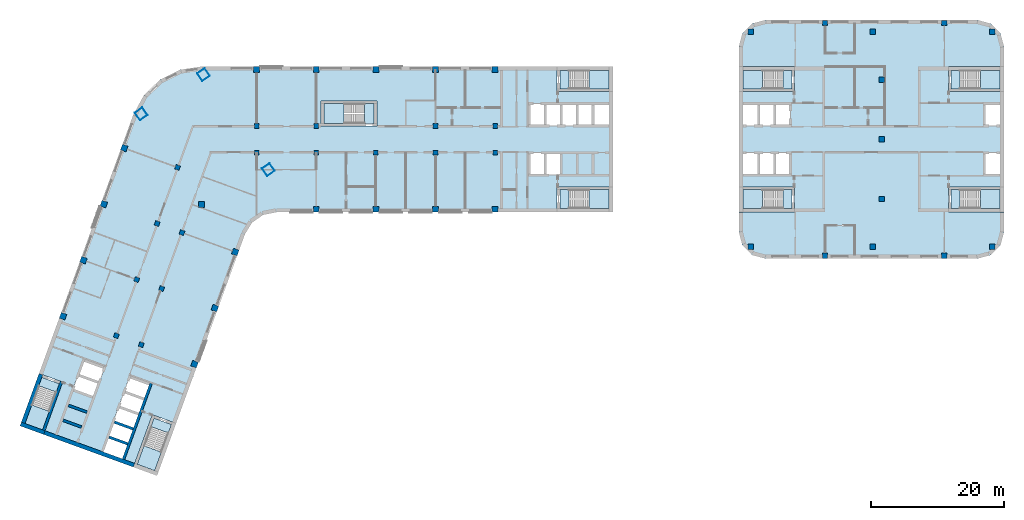
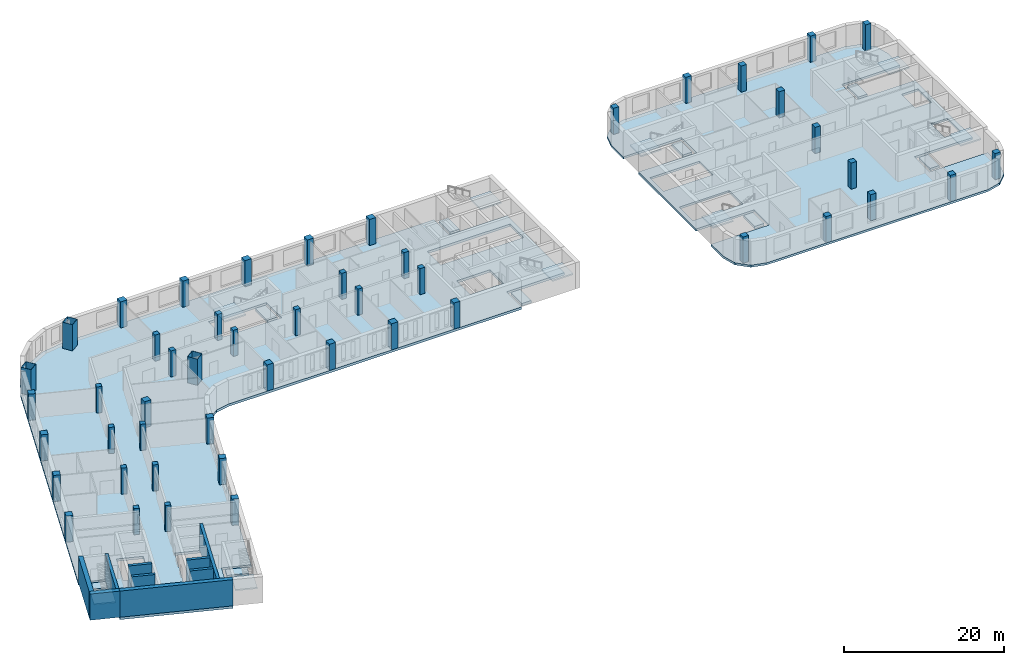
# One storey, part 1 of 12: 49 columns, 20 slabs, 9 walls, 9 elements without a shape of their own.
"""IFC4 building model written with IfcOpenShell, lengths in metres."""

import ifcopenshell
import ifcopenshell.guid

model = None  # the IFC model being written
_history = None  # IfcOwnerHistory: only IFC2X3 demands one
_inside = {}  # id of a spatial element -> (the spatial element, [elements in it])
_under = {}  # id of a project, library or spatial element -> (it, [spatial elements below it])
_declared = {}  # id of a project -> (the project, [libraries it declares])
_typed = {}  # id of a type object -> (the type object, [elements of that type])
_made_of = {}  # id of a material, layer set ... -> (it, [elements and type objects made of it])


def new_model(schema):
    """Start an empty IFC model of exactly this schema.

    Asked for "IFC4X3", IfcOpenShell would pick the latest addendum, in which some entities
    have other attributes; the version numbers below select the first issue.
    IFC2X3 requires an IfcOwnerHistory on every rooted entity: one is made here for all.
    """
    global model, _history
    if schema == "IFC4X3":
        model = ifcopenshell.file(schema_version=(4, 3, 0, 0))
    else:
        model = ifcopenshell.file(schema=schema)
    _inside.clear()
    _under.clear()
    _declared.clear()
    _typed.clear()
    _made_of.clear()
    _history = None
    if model.schema == "IFC2X3":
        org = make("IfcOrganization", Name="unknown")
        user = make(
            "IfcPersonAndOrganization",
            ThePerson=make("IfcPerson", FamilyName="unknown"),
            TheOrganization=org,
        )
        app = make(
            "IfcApplication",
            ApplicationDeveloper=org,
            Version="unknown",
            ApplicationFullName="unknown",
            ApplicationIdentifier="unknown",
        )
        _history = make(
            "IfcOwnerHistory",
            OwningUser=user,
            OwningApplication=app,
            ChangeAction="ADDED",
            CreationDate=0,
        )
    return model


def make(cls, **values):
    """One entity of the class cls with the attributes given. An attribute that is None is left unset."""
    return model.create_entity(
        cls, **{name: value for name, value in values.items() if value is not None}
    )


def rooted(cls, **values):
    """An entity with a GlobalId (a new one), such as an element, a storey or a relation."""
    return make(cls, GlobalId=ifcopenshell.guid.new(), OwnerHistory=_history, **values)


def si_unit(unit_type, name, prefix=None):
    """IfcSIUnit, for example si_unit("LENGTHUNIT", "METRE", prefix="MILLI")."""
    return make("IfcSIUnit", UnitType=unit_type, Prefix=prefix, Name=name)


def assignment(units):
    """IfcUnitAssignment: the units of a project."""
    return None if units is None else make("IfcUnitAssignment", Units=units)


def point(xyz):
    """IfcCartesianPoint."""
    return None if xyz is None else make("IfcCartesianPoint", Coordinates=xyz)


def direction(xyz):
    """IfcDirection."""
    return None if xyz is None else make("IfcDirection", DirectionRatios=xyz)


def frame(location, z_axis=None, x_axis=None):
    """IfcAxis2Placement3D, a coordinate frame: its origin and axes. An axis left out is left unset."""
    return make(
        "IfcAxis2Placement3D",
        Location=point(location),
        Axis=direction(z_axis),
        RefDirection=direction(x_axis),
    )


def frame_2d(location, x_axis=None):
    """IfcAxis2Placement2D, a coordinate frame in the plane: its origin and x axis."""
    return make(
        "IfcAxis2Placement2D", Location=point(location), RefDirection=direction(x_axis)
    )


def origin():
    """The frame at (0, 0, 0) with its axes left unset."""
    return frame((0.0, 0.0, 0.0))


def origin_2d():
    """The frame at (0, 0) in the plane with its x axis left unset."""
    return frame_2d((0.0, 0.0))


def place(relative_to, where):
    """IfcLocalPlacement: puts the frame where relative to a parent placement (None: the world)."""
    return make(
        "IfcLocalPlacement", PlacementRelTo=relative_to, RelativePlacement=where
    )


def context(
    kind, dimensions, precision=None, world=None, true_north=None, identifier=None
):
    """IfcGeometricRepresentationContext, for example the 3D "Model" context."""
    return make(
        "IfcGeometricRepresentationContext",
        ContextIdentifier=identifier,
        ContextType=kind,
        CoordinateSpaceDimension=dimensions,
        Precision=precision,
        WorldCoordinateSystem=world,
        TrueNorth=true_north,
    )


def subcontext(parent, identifier, kind, view, scale=None):
    """IfcGeometricRepresentationSubContext, for example "Body" below "Model"."""
    return make(
        "IfcGeometricRepresentationSubContext",
        ContextIdentifier=identifier,
        ContextType=kind,
        ParentContext=parent,
        TargetScale=scale,
        TargetView=view,
    )


def project(units=None, contexts=None):
    """IfcProject with its units and contexts."""
    return rooted(
        "IfcProject",
        Name="project",
        RepresentationContexts=contexts,
        UnitsInContext=assignment(units),
    )


def spatial(cls, under=None, at=None, **own):
    """A site, building, storey or space (cls), placed at a placement, below another one or the project."""
    s = rooted(cls, ObjectPlacement=at, **own)
    if under is not None:
        _under.setdefault(under.id(), (under, []))[1].append(s)
    return s


def polyline(points):
    """IfcPolyline through the points."""
    return make("IfcPolyline", Points=[point(p) for p in points])


def profile(cls, at=None, kind="AREA", **sizes):
    """A parametric profile (cls). Its sizes go by their IFC names, for example OverallWidth=200.0."""
    return make(cls, ProfileType=kind, Position=at, **sizes)


def rectangle(**sizes):
    """IfcRectangleProfileDef."""
    return profile("IfcRectangleProfileDef", **sizes)


def hollow_rectangle(**sizes):
    """IfcRectangleHollowProfileDef."""
    return profile("IfcRectangleHollowProfileDef", **sizes)


def outline(outer, holes=None, kind="AREA"):
    """IfcArbitraryClosedProfileDef: a profile drawn as a closed curve; with holes, ...WithVoids."""
    if holes is None:
        return make("IfcArbitraryClosedProfileDef", ProfileType=kind, OuterCurve=outer)
    return make(
        "IfcArbitraryProfileDefWithVoids",
        ProfileType=kind,
        OuterCurve=outer,
        InnerCurves=holes,
    )


def extrude(swept, where, along, depth):
    """IfcExtrudedAreaSolid: the profile swept, set in the frame where, extruded along a direction by depth."""
    return make(
        "IfcExtrudedAreaSolid",
        SweptArea=swept,
        Position=where,
        ExtrudedDirection=direction(along),
        Depth=depth,
    )


def shape(context_of_items, identifier, shape_type, items):
    """IfcShapeRepresentation: the items that make up one representation, for example the "Body"."""
    return make(
        "IfcShapeRepresentation",
        ContextOfItems=context_of_items,
        RepresentationIdentifier=identifier,
        RepresentationType=shape_type,
        Items=items,
    )


def material(Name=None, Category=None):
    """IfcMaterial."""
    return make("IfcMaterial", Name=Name, Category=Category)


def layer(
    of_material, thickness, ventilated=None, Name=None, Category=None, Priority=None
):
    """IfcMaterialLayer: one layer of a wall or slab, of a material (None: an air gap)."""
    return make(
        "IfcMaterialLayer",
        Material=of_material,
        LayerThickness=thickness,
        IsVentilated=ventilated,
        Name=Name,
        Category=Category,
        Priority=Priority,
    )


def layer_set(layers, Name=None):
    """IfcMaterialLayerSet."""
    return make("IfcMaterialLayerSet", MaterialLayers=layers, LayerSetName=Name)


def material_profile(
    of_material, cross_section, Name=None, Category=None, Priority=None
):
    """IfcMaterialProfile: a cross section and its material."""
    return make(
        "IfcMaterialProfile",
        Name=Name,
        Material=of_material,
        Profile=cross_section,
        Priority=Priority,
        Category=Category,
    )


def profile_set(profiles, Name=None, composite=None):
    """IfcMaterialProfileSet."""
    return make(
        "IfcMaterialProfileSet",
        Name=Name,
        MaterialProfiles=profiles,
        CompositeProfile=composite,
    )


def made_of(thing, what):
    """Note that an element or type object is made of a material, layer set ...; save() writes the relation."""
    if what is not None:
        _made_of.setdefault(what.id(), (what, []))[1].append(thing)
    return thing


def type_object(cls, material=None, **own):
    """A type object (cls), such as IfcWallType, which elements share."""
    return made_of(rooted(cls, **own), material)


def element(
    cls,
    number,
    at=None,
    inside=None,
    cuts=None,
    type_object=None,
    material=None,
    context=None,
    identifier="Body",
    shape_type=None,
    held_by="IfcProductDefinitionShape",
    body=None,
    shapes=None,
    **own,
):
    """One element of the class cls, such as IfcWall. Its Tag is "e" and its number.

    at: its placement. inside: the storey or other place that contains it. cuts: it is an
    opening in that element (IfcRelVoidsElement). A single representation is given by context,
    identifier, shape_type and body (its items); several are given by shapes. held_by: the class
    of the entity that holds the representations. save() writes the other relations.
    """
    e = rooted(cls, Tag="e%d" % number, ObjectPlacement=at, **own)
    if body is not None:
        shapes = [shape(context, identifier, shape_type, body)]
    if shapes is not None:
        e.Representation = make(held_by, Representations=shapes)
    if inside is not None:
        _inside.setdefault(inside.id(), (inside, []))[1].append(e)
    if cuts is not None:
        rooted(
            "IfcRelVoidsElement", RelatingBuildingElement=cuts, RelatedOpeningElement=e
        )
    if type_object is not None:
        _typed.setdefault(type_object.id(), (type_object, []))[1].append(e)
    return made_of(e, material)


def aggregate(whole, parts):
    """IfcRelAggregates: a whole, such as a stair, and the parts it consists of."""
    return rooted("IfcRelAggregates", RelatingObject=whole, RelatedObjects=parts)


def save(model, path):
    """Write the relations noted so far, then the file.

    IfcRelAggregates (storeys below a building ...), IfcRelContainedInSpatialStructure (elements
    in a storey), IfcRelDefinesByType, IfcRelAssociatesMaterial and IfcRelDeclares: one each for
    every whole, place, type object, material and project.
    """
    for whole, parts in _under.values():
        aggregate(whole, parts)
    for where, things in _inside.values():
        rooted(
            "IfcRelContainedInSpatialStructure",
            RelatedElements=things,
            RelatingStructure=where,
        )
    for kind, things in _typed.values():
        rooted("IfcRelDefinesByType", RelatedObjects=things, RelatingType=kind)
    for what, things in _made_of.values():
        rooted("IfcRelAssociatesMaterial", RelatedObjects=things, RelatingMaterial=what)
    for by, libraries in _declared.values():
        rooted("IfcRelDeclares", RelatingContext=by, RelatedDefinitions=libraries)
    model.write(path)


model = new_model("IFC4")

# Units and contexts
model_context = context("Model", 3, precision=1e-05, world=origin(), true_north=direction((0.0, 1.0)))
body_context = subcontext(model_context, "Body", "Model", "MODEL_VIEW")
ifc_project = project(units=[si_unit("LENGTHUNIT", "METRE"), si_unit("AREAUNIT", "SQUARE_METRE"), si_unit("VOLUMEUNIT", "CUBIC_METRE"), si_unit("PLANEANGLEUNIT", "RADIAN"), si_unit("MASSUNIT", "GRAM", prefix="KILO")], contexts=[model_context])

# Site, building, storey
site_placement = place(None, origin())
site = spatial("IfcSite", under=ifc_project, at=site_placement, CompositionType="ELEMENT")
building_placement = place(site_placement, origin())
building = spatial("IfcBuilding", under=site, at=building_placement, Name="Skarvind Civic Tower", CompositionType="ELEMENT")
storey_placement = place(building_placement, frame((0.0, 0.0, 47.5)))
storey = spatial("IfcBuildingStorey", under=building, at=storey_placement, Name="L10", CompositionType="ELEMENT", Elevation=47.5)

# Columns
ifc_material_1 = material(Name="Concrete C60", Category="concrete")
ifc_material_profile_1 = material_profile(ifc_material_1, rectangle(XDim=0.699951171875, YDim=0.699951171875, at=origin_2d()), Name="RC-700x700")
ifc_profile_set_1 = profile_set([ifc_material_profile_1], Name="Concrete C60")
column_type_1 = type_object("IfcColumnType", Name="Column RC-700x700 C60", PredefinedType="COLUMN", material=ifc_profile_set_1)
for number, where, z_axis, x_axis, name in (
    (1, (54.25, 130.0, 0.0), (0.0, 0.0, 1.0), (1.0, 0.0, 0.0), "Column wing 1 north inner 02 L10"),
    (2, (63.25, 130.0, 0.0), (0.0, 0.0, 1.0), (1.0, 0.0, 0.0), "Column wing 1 north inner 03 L10"),
    (3, (81.25, 130.0, 0.0), (0.0, 0.0, 1.0), (1.0, 0.0, 0.0), "Column wing 1 north inner 05 L10"),
    (4, (90.25, 130.0, 0.0), (0.0, 0.0, 1.0), (1.0, 0.0, 0.0), "Column wing 1 north inner 06 L10"),
    (5, (54.25, 126.0, 0.0), (0.0, 0.0, 1.0), (1.0, 0.0, 0.0), "Column wing 1 south inner 02 L10"),
    (6, (63.25, 126.0, 0.0), (0.0, 0.0, 1.0), (1.0, 0.0, 0.0), "Column wing 1 south inner 03 L10"),
    (7, (72.25, 126.0, 0.0), (0.0, 0.0, 1.0), (1.0, 0.0, 0.0), "Column wing 1 south inner 04 L10"),
    (8, (81.25, 126.0, 0.0), (0.0, 0.0, 1.0), (1.0, 0.0, 0.0), "Column wing 1 south inner 05 L10"),
    (9, (90.25, 126.0, 0.0), (0.0, 0.0, 1.0), (1.0, 0.0, 0.0), "Column wing 1 south inner 06 L10"),
    (10, (43.005615234375, 113.92529296875, 0.0), (0.0, 0.0, 1.0), (-0.342020143326, -0.939692620786, 0.0), "Column wing 2 left inner 02 L10"),
    (11, (39.927490234375, 105.468017578125, 0.0), (0.0, 0.0, 1.0), (-0.342020143326, -0.939692620786, 0.0), "Column wing 2 left inner 03 L10"),
    (12, (36.84912109375, 97.010986328125, 0.0), (0.0, 0.0, 1.0), (-0.342020143326, -0.939692620786, 0.0), "Column wing 2 left inner 04 L10"),
    (13, (42.324951171875, 123.750732421875, 0.0), (0.0, 0.0, 1.0), (-0.342020143326, -0.939692620786, 0.0), "Column wing 2 right inner 01 L10"),
    (14, (39.246826171875, 115.29345703125, 0.0), (0.0, 0.0, 1.0), (-0.342020143326, -0.939692620786, 0.0), "Column wing 2 right inner 02 L10"),
    (15, (36.168701171875, 106.836181640625, 0.0), (0.0, 0.0, 1.0), (-0.342020143326, -0.939692620786, 0.0), "Column wing 2 right inner 03 L10"),
    (16, (33.090576171875, 98.37890625, 0.0), (0.0, 0.0, 1.0), (-0.342020143326, -0.939692620786, 0.0), "Column wing 2 right inner 04 L10"),
):
    element("IfcColumn", number, at=place(storey_placement, frame(where, z_axis=z_axis, x_axis=x_axis)), inside=storey, type_object=column_type_1, Name=name, PredefinedType="COLUMN", context=body_context, shape_type="SweptSolid", body=[
        extrude(rectangle(XDim=0.699951171875, YDim=0.699951171875, at=origin_2d()), origin(), (0.0, 0.0, 1.0), 4.0),
    ])
ifc_material_profile_2 = material_profile(ifc_material_1, rectangle(XDim=0.800048828125, YDim=0.800048828125, at=origin_2d()), Name="RC-800x800")
ifc_profile_set_2 = profile_set([ifc_material_profile_2], Name="Concrete C60")
column_type_2 = type_object("IfcColumnType", Name="Column RC-800x800 C60", PredefinedType="COLUMN", material=ifc_profile_set_2)
for number, where, z_axis, x_axis, name in (
    (17, (128.777099609375, 144.222900390625, 0.0), (0.0, 0.0, 1.0), (1.0, 0.0, 0.0), "Column second tower north-west corner L10"),
    (18, (128.777099609375, 111.777099609375, 0.0), (0.0, 0.0, 1.0), (1.0, 0.0, 0.0), "Column second tower south-west corner L10"),
    (19, (148.550048828125, 119.0, 0.0), (0.0, 0.0, 1.0), (1.0, 0.0, 0.0), "Column second tower middle line 01 L10"),
    (20, (148.550048828125, 128.0, 0.0), (0.0, 0.0, 1.0), (1.0, 0.0, 0.0), "Column second tower middle line 02 L10"),
    (21, (148.550048828125, 137.0, 0.0), (0.0, 0.0, 1.0), (1.0, 0.0, 0.0), "Column second tower middle line 03 L10"),
    (22, (140.0, 145.550048828125, 0.0), (0.0, 0.0, 1.0), (1.0, 0.0, 0.0), "Column second tower north perimeter 02 L10"),
    (23, (147.222900390625, 144.222900390625, 0.0), (0.0, 0.0, 1.0), (1.0, 0.0, 0.0), "Column second tower north perimeter 03 L10"),
    (24, (140.0, 110.449951171875, 0.0), (0.0, 0.0, 1.0), (1.0, 0.0, 0.0), "Column second tower south perimeter 02 L10"),
    (25, (147.222900390625, 111.777099609375, 0.0), (0.0, 0.0, 1.0), (1.0, 0.0, 0.0), "Column second tower south perimeter 03 L10"),
    (26, (165.222900390625, 144.222900390625, 0.0), (0.0, 0.0, 1.0), (1.0, 0.0, 0.0), "Column second tower north-east corner L10"),
    (27, (165.222900390625, 111.777099609375, 0.0), (0.0, 0.0, 1.0), (1.0, 0.0, 0.0), "Column second tower south-east corner L10"),
    (28, (158.0, 145.550048828125, 0.0), (0.0, 0.0, 1.0), (1.0, 0.0, 0.0), "Column second tower north perimeter 04 L10"),
    (29, (158.0, 110.449951171875, 0.0), (0.0, 0.0, 1.0), (1.0, 0.0, 0.0), "Column second tower south perimeter 04 L10"),
):
    element("IfcColumn", number, at=place(storey_placement, frame(where, z_axis=z_axis, x_axis=x_axis)), inside=storey, type_object=column_type_2, Name=name, PredefinedType="COLUMN", context=body_context, shape_type="SweptSolid", body=[
        extrude(rectangle(XDim=0.800048828125, YDim=0.800048828125, at=origin_2d()), origin(), (0.0, 0.0, 1.0), 4.0),
    ])
ifc_material_2 = material(Name="Concrete C80", Category="concrete")
ifc_material_profile_3 = material_profile(ifc_material_2, rectangle(XDim=0.89990234375, YDim=0.89990234375, at=origin_2d()), Name="RC-900x900")
ifc_profile_set_3 = profile_set([ifc_material_profile_3], Name="Concrete C80")
column_type_3 = type_object("IfcColumnType", Name="Column RC-900x900 C80", PredefinedType="COLUMN", material=ifc_profile_set_3)
for number, where, z_axis, x_axis, name in (
    (30, (54.25, 138.550048828125, 0.0), (0.0, 0.0, 1.0), (1.0, 0.0, 0.0), "Column wing 1 north perimeter 02 L10"),
    (31, (63.25, 138.550048828125, 0.0), (0.0, 0.0, 1.0), (1.0, 0.0, 0.0), "Column wing 1 north perimeter 03 L10"),
    (32, (72.25, 138.550048828125, 0.0), (0.0, 0.0, 1.0), (1.0, 0.0, 0.0), "Column wing 1 north perimeter 04 L10"),
    (33, (81.25, 138.550048828125, 0.0), (0.0, 0.0, 1.0), (1.0, 0.0, 0.0), "Column wing 1 north perimeter 05 L10"),
    (34, (90.25, 138.550048828125, 0.0), (0.0, 0.0, 1.0), (1.0, 0.0, 0.0), "Column wing 1 north perimeter 06 L10"),
    (35, (45.95166015625, 118.151611328125, 0.0), (0.0, 0.0, 1.0), (1.0, 0.0, 0.0), "Column wing 1 south perimeter 01 L10"),
    (36, (63.25, 117.449951171875, 0.0), (0.0, 0.0, 1.0), (1.0, 0.0, 0.0), "Column wing 1 south perimeter 03 L10"),
    (37, (72.25, 117.449951171875, 0.0), (0.0, 0.0, 1.0), (1.0, 0.0, 0.0), "Column wing 1 south perimeter 04 L10"),
    (38, (81.25, 117.449951171875, 0.0), (0.0, 0.0, 1.0), (1.0, 0.0, 0.0), "Column wing 1 south perimeter 05 L10"),
    (39, (90.25, 117.449951171875, 0.0), (0.0, 0.0, 1.0), (1.0, 0.0, 0.0), "Column wing 1 south perimeter 06 L10"),
    (40, (51.0400390625, 111.0009765625, 0.0), (0.0, 0.0, 1.0), (-0.342020143326, -0.939692620786, 0.0), "Column wing 2 left perimeter 02 L10"),
    (41, (47.961669921875, 102.5439453125, 0.0), (0.0, 0.0, 1.0), (-0.342020143326, -0.939692620786, 0.0), "Column wing 2 left perimeter 03 L10"),
    (42, (44.883544921875, 94.086669921875, 0.0), (0.0, 0.0, 1.0), (-0.342020143326, -0.939692620786, 0.0), "Column wing 2 left perimeter 04 L10"),
    (43, (34.29052734375, 126.6748046875, 0.0), (0.0, 0.0, 1.0), (-0.342020143326, -0.939692620786, 0.0), "Column wing 2 right perimeter 01 L10"),
    (44, (31.21240234375, 118.2177734375, 0.0), (0.0, 0.0, 1.0), (-0.342020143326, -0.939692620786, 0.0), "Column wing 2 right perimeter 02 L10"),
    (45, (28.13427734375, 109.760498046875, 0.0), (0.0, 0.0, 1.0), (-0.342020143326, -0.939692620786, 0.0), "Column wing 2 right perimeter 03 L10"),
    (46, (25.05615234375, 101.30322265625, 0.0), (0.0, 0.0, 1.0), (-0.342020143326, -0.939692620786, 0.0), "Column wing 2 right perimeter 04 L10"),
):
    element("IfcColumn", number, at=place(storey_placement, frame(where, z_axis=z_axis, x_axis=x_axis)), inside=storey, type_object=column_type_3, Name=name, PredefinedType="COLUMN", context=body_context, shape_type="SweptSolid", body=[
        extrude(rectangle(XDim=0.89990234375, YDim=0.89990234375, at=origin_2d()), origin(), (0.0, 0.0, 1.0), 4.0),
    ])
ifc_material_3 = material(Name="Composite concrete-filled steel tube, Steel SM355 with Concrete C80", Category="concrete")
ifc_material_profile_4 = material_profile(ifc_material_3, hollow_rectangle(XDim=1.39990234375, YDim=1.39990234375, WallThickness=0.0400390625, at=origin_2d()), Name="BOX-1400x1400x40")
ifc_profile_set_4 = profile_set([ifc_material_profile_4], Name="Composite concrete-filled steel tube, Steel SM355 with Concrete C80")
column_type_4 = type_object("IfcColumnType", Name="Mega column BOX-1400x1400x40 filled C80", PredefinedType="COLUMN", material=ifc_profile_set_4)
for number, where, z_axis, x_axis, name in (
    (47, (36.845947265625, 131.837646484375, 0.0), (0.0, 0.0, 1.0), (0.573576436351, -0.819152044289, 0.0), "Mega column 1 L10"),
    (48, (46.2470703125, 137.762451171875, 0.0), (0.0, 0.0, 1.0), (0.573576436351, -0.819152044289, 0.0), "Mega column 2 L10"),
    (49, (56.0361328125, 123.43017578125, 0.0), (0.0, 0.0, 1.0), (0.573576436351, -0.819152044289, 0.0), "Mega column 4 L10"),
):
    element("IfcColumn", number, at=place(storey_placement, frame(where, z_axis=z_axis, x_axis=x_axis)), inside=storey, type_object=column_type_4, Name=name, PredefinedType="COLUMN", context=body_context, shape_type="SweptSolid", body=[
        extrude(hollow_rectangle(XDim=1.39990234375, YDim=1.39990234375, WallThickness=0.0400390625, at=origin_2d()), origin(), (0.0, 0.0, 1.0), 4.0),
    ])

# Slabs
ifc_material_4 = material(Name="Concrete C50", Category="concrete")
ifc_layer_1 = layer(ifc_material_4, 0.375)
ifc_layer_set_1 = layer_set([ifc_layer_1], Name="Floor slab 375 C50")
slab_type_1 = type_object("IfcSlabType", Name="Floor slab 375 C50", PredefinedType="FLOOR", material=ifc_layer_set_1)
slab_1_placement = place(storey_placement, frame((0.0, 0.0, -0.375)))
element("IfcSlab", 50, at=slab_1_placement, inside=storey, type_object=slab_type_1, Name="Floor slab L10 1", PredefinedType="FLOOR", context=body_context, shape_type="SweptSolid", body=[
    extrude(outline(polyline([(99.60009765625, 117.0), (99.60009765625, 120.800048828125), (108.0, 120.800048828125), (108.0, 135.199951171875), (99.60009765625, 135.199951171875), (99.60009765625, 139.0), (46.095458984375, 139.0), (42.739501953125, 138.5009765625), (39.6943359375, 137.005615234375), (37.24755859375, 134.6552734375), (35.630615234375, 131.672607421875), (19.41748046875, 87.126708984375), (21.435302734375, 92.6708984375), (25.006103515625, 91.371337890625), (22.13330078125, 83.477783203125), (36.886474609375, 78.108154296875), (35.664794921875, 78.552734375), (38.53759765625, 86.4462890625), (42.108642578125, 85.146484375), (40.0908203125, 79.602294921875), (40.0908203125, 79.602294921875), (52.493896484375, 113.68017578125), (53.560791015625, 115.421630859375), (55.23388671875, 116.593017578125), (57.235107421875, 117.0), (99.60009765625, 117.0)]), holes=[polyline([(32.625244140625, 85.40576171875), (33.446044921875, 87.660888671875), (34.26708984375, 89.916259765625), (35.087890625, 92.17138671875), (38.28271484375, 91.008544921875), (37.4619140625, 88.75341796875), (36.64111328125, 86.498046875), (35.8203125, 84.242919921875), (35.8203125, 84.242919921875), (34.99951171875, 81.987548828125), (34.178466796875, 79.732421875), (30.983642578125, 80.89501953125), (31.804443359375, 83.150390625), (32.625244140625, 85.40576171875), (32.625244140625, 85.40576171875)]), polyline([(31.3291015625, 93.53955078125), (30.50830078125, 91.2841796875), (29.6875, 89.029052734375), (26.492431640625, 90.19189453125), (27.313232421875, 92.447021484375), (28.134033203125, 94.702392578125), (31.3291015625, 93.53955078125)]), polyline([(64.0, 130.0), (64.0, 133.800048828125), (72.39990234375, 133.800048828125), (72.39990234375, 130.0), (64.0, 130.0)]), polyline([(100.199951171875, 126.0), (100.199951171875, 122.60009765625), (97.800048828125, 122.60009765625), (95.39990234375, 122.60009765625), (95.39990234375, 126.0), (97.800048828125, 126.0), (100.199951171875, 126.0)]), polyline([(100.199951171875, 133.39990234375), (102.60009765625, 133.39990234375), (105.0, 133.39990234375), (107.39990234375, 133.39990234375), (107.39990234375, 130.0), (105.0, 130.0), (102.60009765625, 130.0), (100.199951171875, 130.0), (97.800048828125, 130.0), (95.39990234375, 130.0), (95.39990234375, 133.39990234375), (97.800048828125, 133.39990234375), (100.199951171875, 133.39990234375)])]), origin(), (0.0, 0.0, 1.0), 0.375),
])
ifc_layer_2 = layer(ifc_material_4, 0.324951171875)
ifc_layer_set_2 = layer_set([ifc_layer_2], Name="Second tower floor slab 325 C50")
slab_type_2 = type_object("IfcSlabType", Name="Second tower floor slab 325 C50", PredefinedType="FLOOR", material=ifc_layer_set_2)
slab_2_placement = place(storey_placement, frame((0.0, 0.0, -0.324951171875)))
element("IfcSlab", 51, at=slab_2_placement, inside=storey, type_object=slab_type_2, Name="Floor slab L10 1", PredefinedType="FLOOR", context=body_context, shape_type="SweptSolid", body=[
    extrude(outline(polyline([(127.0, 139.0), (135.39990234375, 139.0), (135.39990234375, 135.199951171875), (127.0, 135.199951171875), (127.0, 120.800048828125), (135.39990234375, 120.800048828125), (135.39990234375, 117.0), (127.0, 117.0), (127.0, 114.0), (127.535888671875, 112.0), (129.0, 110.535888671875), (131.0, 110.0), (163.0, 110.0), (165.0, 110.535888671875), (166.464111328125, 112.0), (167.0, 114.0), (167.0, 117.0), (158.60009765625, 117.0), (158.60009765625, 120.800048828125), (167.0, 120.800048828125), (167.0, 135.199951171875), (158.60009765625, 135.199951171875), (158.60009765625, 139.0), (167.0, 139.0), (167.0, 142.0), (166.464111328125, 144.0), (165.0, 145.464111328125), (163.0, 146.0), (131.0, 146.0), (129.0, 145.464111328125), (127.535888671875, 144.0), (127.0, 142.0), (127.0, 139.0)]), holes=[polyline([(132.39990234375, 126.0), (134.800048828125, 126.0), (134.800048828125, 122.60009765625), (132.39990234375, 122.60009765625), (130.0, 122.60009765625), (127.60009765625, 122.60009765625), (127.60009765625, 126.0), (130.0, 126.0), (132.39990234375, 126.0)]), polyline([(130.0, 133.39990234375), (132.39990234375, 133.39990234375), (134.800048828125, 133.39990234375), (134.800048828125, 130.0), (132.39990234375, 130.0), (130.0, 130.0), (127.60009765625, 130.0), (127.60009765625, 133.39990234375), (130.0, 133.39990234375)]), polyline([(166.39990234375, 126.0), (166.39990234375, 122.60009765625), (164.0, 122.60009765625), (164.0, 126.0), (166.39990234375, 126.0)]), polyline([(166.39990234375, 133.39990234375), (166.39990234375, 130.0), (164.0, 130.0), (164.0, 133.39990234375), (166.39990234375, 133.39990234375)])]), origin(), (0.0, 0.0, 1.0), 0.324951171875),
])
ifc_material_5 = material(Name="Concrete C40/50", Category="concrete")
ifc_layer_3 = layer(ifc_material_5, 0.375)
ifc_layer_set_3 = layer_set([ifc_layer_3], Name="Stair floor landing slab 375")
slab_type_3 = type_object("IfcSlabType", Name="Stair floor landing slab 375", PredefinedType="LANDING", material=ifc_layer_set_3)
slab_3_placement = place(storey_placement, frame((0.0, 0.0, -0.375)))
element("IfcSlab", 52, at=slab_3_placement, inside=storey, type_object=slab_type_3, Name="Stair floor landing", PredefinedType="LANDING", context=body_context, shape_type="SweptSolid", body=[
    extrude(outline(polyline([(101.3505859375, 138.400634765625), (101.3505859375, 135.599365234375), (99.99951171875, 135.599365234375), (99.99951171875, 138.400634765625), (101.3505859375, 138.400634765625)])), origin(), (0.0, 0.0, 1.0), 0.375),
])
slab_4_placement = place(storey_placement, frame((0.0, 0.0, -0.375)))
element("IfcSlab", 53, at=slab_4_placement, inside=storey, type_object=slab_type_3, Name="Stair floor landing", PredefinedType="LANDING", context=body_context, shape_type="SweptSolid", body=[
    extrude(outline(polyline([(101.3505859375, 120.400634765625), (101.3505859375, 117.599365234375), (99.99951171875, 117.599365234375), (99.99951171875, 120.400634765625), (101.3505859375, 120.400634765625)])), origin(), (0.0, 0.0, 1.0), 0.375),
])
slab_5_placement = place(storey_placement, frame((0.0, 0.0, -0.375)))
element("IfcSlab", 54, at=slab_5_placement, inside=storey, type_object=slab_type_3, Name="Stair floor landing", PredefinedType="LANDING", context=body_context, shape_type="SweptSolid", body=[
    extrude(outline(polyline([(40.946533203125, 83.70654296875), (38.314208984375, 84.66455078125), (38.7763671875, 85.934326171875), (41.40869140625, 84.976318359375), (40.946533203125, 83.70654296875)])), origin(), (0.0, 0.0, 1.0), 0.375),
])
slab_6_placement = place(storey_placement, frame((0.0, 0.0, -0.375)))
element("IfcSlab", 55, at=slab_6_placement, inside=storey, type_object=slab_type_3, Name="Stair floor landing", PredefinedType="LANDING", context=body_context, shape_type="SweptSolid", body=[
    extrude(outline(polyline([(24.0322265625, 89.863037109375), (21.39990234375, 90.821044921875), (21.862060546875, 92.090576171875), (24.494384765625, 91.132568359375), (24.0322265625, 89.863037109375)])), origin(), (0.0, 0.0, 1.0), 0.375),
])
slab_7_placement = place(storey_placement, frame((0.0, 0.0, -0.375)))
element("IfcSlab", 56, at=slab_7_placement, inside=storey, type_object=slab_type_3, Name="Stair floor landing", PredefinedType="LANDING", context=body_context, shape_type="SweptSolid", body=[
    extrude(outline(polyline([(133.6494140625, 117.599365234375), (133.6494140625, 120.400634765625), (135.00048828125, 120.400634765625), (135.00048828125, 117.599365234375), (133.6494140625, 117.599365234375)])), origin(), (0.0, 0.0, 1.0), 0.375),
])
slab_8_placement = place(storey_placement, frame((0.0, 0.0, -0.375)))
element("IfcSlab", 57, at=slab_8_placement, inside=storey, type_object=slab_type_3, Name="Stair floor landing", PredefinedType="LANDING", context=body_context, shape_type="SweptSolid", body=[
    extrude(outline(polyline([(133.6494140625, 135.599365234375), (133.6494140625, 138.400634765625), (135.00048828125, 138.400634765625), (135.00048828125, 135.599365234375), (133.6494140625, 135.599365234375)])), origin(), (0.0, 0.0, 1.0), 0.375),
])
slab_9_placement = place(storey_placement, frame((0.0, 0.0, -0.375)))
element("IfcSlab", 58, at=slab_9_placement, inside=storey, type_object=slab_type_3, Name="Stair floor landing", PredefinedType="LANDING", context=body_context, shape_type="SweptSolid", body=[
    extrude(outline(polyline([(160.3505859375, 138.400634765625), (160.3505859375, 135.599365234375), (158.99951171875, 135.599365234375), (158.99951171875, 138.400634765625), (160.3505859375, 138.400634765625)])), origin(), (0.0, 0.0, 1.0), 0.375),
])
slab_10_placement = place(storey_placement, frame((0.0, 0.0, -0.375)))
element("IfcSlab", 59, at=slab_10_placement, inside=storey, type_object=slab_type_3, Name="Stair floor landing", PredefinedType="LANDING", context=body_context, shape_type="SweptSolid", body=[
    extrude(outline(polyline([(160.3505859375, 120.400634765625), (160.3505859375, 117.599365234375), (158.99951171875, 117.599365234375), (158.99951171875, 120.400634765625), (160.3505859375, 120.400634765625)])), origin(), (0.0, 0.0, 1.0), 0.375),
])
slab_11_placement = place(storey_placement, frame((0.0, 0.0, -0.375)))
element("IfcSlab", 60, at=slab_11_placement, inside=storey, type_object=slab_type_3, Name="Stair floor landing", PredefinedType="LANDING", context=body_context, shape_type="SweptSolid", body=[
    extrude(outline(polyline([(70.54931640625, 130.3994140625), (70.54931640625, 133.400634765625), (72.00048828125, 133.400634765625), (72.00048828125, 130.3994140625), (70.54931640625, 130.3994140625)])), origin(), (0.0, 0.0, 1.0), 0.375),
])

# Stair, slab
stair_type_1 = type_object("IfcStairType", Name="Exit stair, half-turn, concrete", PredefinedType="HALF_TURN_STAIR", material=ifc_material_5)
stair_1_placement = place(storey_placement, origin())
stair_1 = element("IfcStair", 61, at=stair_1_placement, inside=storey, type_object=stair_type_1, Name="Exit stair C1S", PredefinedType="HALF_TURN_STAIR")
ifc_layer_4 = layer(ifc_material_5, 0.199951171875)
ifc_layer_set_4 = layer_set([ifc_layer_4], Name="Stair half landing slab")
slab_type_4 = type_object("IfcSlabType", Name="Stair half landing slab", PredefinedType="LANDING", material=ifc_layer_set_4)
slab_12_placement = place(storey_placement, frame((0.0, 0.0, 1.800048828125)))
slab_12 = element("IfcSlab", 62, at=slab_12_placement, type_object=slab_type_4, Name="ST-C1S landing 1", PredefinedType="LANDING", context=body_context, shape_type="SweptSolid", body=[
    extrude(outline(polyline([(104.429443359375, 135.599365234375), (104.429443359375, 138.400634765625), (107.400634765625, 138.400634765625), (107.400634765625, 135.599365234375), (104.429443359375, 135.599365234375)])), origin(), (0.0, 0.0, 1.0), 0.199951171875),
])
aggregate(stair_1, [slab_12])

stair_2_placement = place(storey_placement, origin())
stair_2 = element("IfcStair", 63, at=stair_2_placement, inside=storey, type_object=stair_type_1, Name="Exit stair C1N", PredefinedType="HALF_TURN_STAIR")
slab_13_placement = place(storey_placement, frame((0.0, 0.0, 1.800048828125)))
slab_13 = element("IfcSlab", 64, at=slab_13_placement, type_object=slab_type_4, Name="ST-C1N landing 1", PredefinedType="LANDING", context=body_context, shape_type="SweptSolid", body=[
    extrude(outline(polyline([(104.429443359375, 117.599365234375), (104.429443359375, 120.400634765625), (107.400634765625, 120.400634765625), (107.400634765625, 117.599365234375), (104.429443359375, 117.599365234375)])), origin(), (0.0, 0.0, 1.0), 0.199951171875),
])
aggregate(stair_2, [slab_13])

stair_3_placement = place(storey_placement, origin())
stair_3 = element("IfcStair", 65, at=stair_3_placement, inside=storey, type_object=stair_type_1, Name="Exit stair C2S", PredefinedType="HALF_TURN_STAIR")
slab_14_placement = place(storey_placement, frame((0.0, 0.0, 1.800048828125)))
slab_14 = element("IfcSlab", 66, at=slab_14_placement, type_object=slab_type_4, Name="ST-C2S landing 1", PredefinedType="LANDING", context=body_context, shape_type="SweptSolid", body=[
    extrude(outline(polyline([(37.26123046875, 81.771484375), (39.8935546875, 80.8134765625), (38.87744140625, 78.021484375), (36.2451171875, 78.9794921875), (37.26123046875, 81.771484375)])), origin(), (0.0, 0.0, 1.0), 0.199951171875),
])
aggregate(stair_3, [slab_14])

stair_4_placement = place(storey_placement, origin())
stair_4 = element("IfcStair", 67, at=stair_4_placement, inside=storey, type_object=stair_type_1, Name="Exit stair C2N", PredefinedType="HALF_TURN_STAIR")
slab_15_placement = place(storey_placement, frame((0.0, 0.0, 1.800048828125)))
slab_15 = element("IfcSlab", 68, at=slab_15_placement, type_object=slab_type_4, Name="ST-C2N landing 1", PredefinedType="LANDING", context=body_context, shape_type="SweptSolid", body=[
    extrude(outline(polyline([(20.346923828125, 87.927734375), (22.97900390625, 86.9697265625), (21.962890625, 84.177734375), (19.33056640625, 85.1357421875), (20.346923828125, 87.927734375)])), origin(), (0.0, 0.0, 1.0), 0.199951171875),
])
aggregate(stair_4, [slab_15])

stair_5_placement = place(storey_placement, origin())
stair_5 = element("IfcStair", 69, at=stair_5_placement, inside=storey, type_object=stair_type_1, Name="Exit stair CAS", PredefinedType="HALF_TURN_STAIR")
slab_16_placement = place(storey_placement, frame((0.0, 0.0, 1.800048828125)))
slab_16 = element("IfcSlab", 70, at=slab_16_placement, type_object=slab_type_4, Name="ST-CAS landing 1", PredefinedType="LANDING", context=body_context, shape_type="SweptSolid", body=[
    extrude(outline(polyline([(130.570556640625, 120.400634765625), (130.570556640625, 117.599365234375), (127.599365234375, 117.599365234375), (127.599365234375, 120.400634765625), (130.570556640625, 120.400634765625)])), origin(), (0.0, 0.0, 1.0), 0.199951171875),
])
aggregate(stair_5, [slab_16])

stair_6_placement = place(storey_placement, origin())
stair_6 = element("IfcStair", 71, at=stair_6_placement, inside=storey, type_object=stair_type_1, Name="Exit stair CAN", PredefinedType="HALF_TURN_STAIR")
slab_17_placement = place(storey_placement, frame((0.0, 0.0, 1.800048828125)))
slab_17 = element("IfcSlab", 72, at=slab_17_placement, type_object=slab_type_4, Name="ST-CAN landing 1", PredefinedType="LANDING", context=body_context, shape_type="SweptSolid", body=[
    extrude(outline(polyline([(130.570556640625, 138.400634765625), (130.570556640625, 135.599365234375), (127.599365234375, 135.599365234375), (127.599365234375, 138.400634765625), (130.570556640625, 138.400634765625)])), origin(), (0.0, 0.0, 1.0), 0.199951171875),
])
aggregate(stair_6, [slab_17])

stair_7_placement = place(storey_placement, origin())
stair_7 = element("IfcStair", 73, at=stair_7_placement, inside=storey, type_object=stair_type_1, Name="Exit stair CBS", PredefinedType="HALF_TURN_STAIR")
slab_18_placement = place(storey_placement, frame((0.0, 0.0, 1.800048828125)))
slab_18 = element("IfcSlab", 74, at=slab_18_placement, type_object=slab_type_4, Name="ST-CBS landing 1", PredefinedType="LANDING", context=body_context, shape_type="SweptSolid", body=[
    extrude(outline(polyline([(163.429443359375, 135.599365234375), (163.429443359375, 138.400634765625), (166.400634765625, 138.400634765625), (166.400634765625, 135.599365234375), (163.429443359375, 135.599365234375)])), origin(), (0.0, 0.0, 1.0), 0.199951171875),
])
aggregate(stair_7, [slab_18])

stair_8_placement = place(storey_placement, origin())
stair_8 = element("IfcStair", 75, at=stair_8_placement, inside=storey, type_object=stair_type_1, Name="Exit stair CBN", PredefinedType="HALF_TURN_STAIR")
slab_19_placement = place(storey_placement, frame((0.0, 0.0, 1.800048828125)))
slab_19 = element("IfcSlab", 76, at=slab_19_placement, type_object=slab_type_4, Name="ST-CBN landing 1", PredefinedType="LANDING", context=body_context, shape_type="SweptSolid", body=[
    extrude(outline(polyline([(163.429443359375, 117.599365234375), (163.429443359375, 120.400634765625), (166.400634765625, 120.400634765625), (166.400634765625, 117.599365234375), (163.429443359375, 117.599365234375)])), origin(), (0.0, 0.0, 1.0), 0.199951171875),
])
aggregate(stair_8, [slab_19])

stair_type_2 = type_object("IfcStairType", Name="Exit stair 1450, half-turn, concrete", PredefinedType="HALF_TURN_STAIR", material=ifc_material_5)
stair_9_placement = place(storey_placement, origin())
stair_9 = element("IfcStair", 77, at=stair_9_placement, inside=storey, type_object=stair_type_2, Name="Exit stair CM", PredefinedType="HALF_TURN_STAIR")
slab_20_placement = place(storey_placement, frame((0.0, 0.0, 1.800048828125)))
slab_20 = element("IfcSlab", 78, at=slab_20_placement, type_object=slab_type_4, Name="ST-CM landing 1", PredefinedType="LANDING", context=body_context, shape_type="SweptSolid", body=[
    extrude(outline(polyline([(67.470703125, 133.400634765625), (67.470703125, 130.3994140625), (64.3994140625, 130.3994140625), (64.3994140625, 133.400634765625), (67.470703125, 133.400634765625)])), origin(), (0.0, 0.0, 1.0), 0.199951171875),
])
aggregate(stair_9, [slab_20])

# Walls
ifc_layer_5 = layer(ifc_material_2, 0.39990234375)
ifc_layer_set_5 = layer_set([ifc_layer_5], Name="Core wall 400 C80")
wall_type_1 = type_object("IfcWallType", Name="Core wall 400 C80", PredefinedType="SHEAR", material=ifc_layer_set_5)
wall_1_placement = place(storey_placement, frame((22.150390625, 84.110107421875, 0.0), z_axis=(0.0, 0.0, 1.0), x_axis=(0.342016982193, 0.939693771338, 0.0)))
element("IfcWall", 79, at=wall_1_placement, inside=storey, type_object=wall_type_1, Name="Core wall C2 north stair inner L10", PredefinedType="SHEAR", context=body_context, shape_type="SweptSolid", body=[
    extrude(rectangle(XDim=7.800048828125, YDim=0.39990234375, at=frame_2d((3.89990234375, 0.0))), origin(), (0.0, 0.0, 1.0), 4.0),
])
wall_2_placement = place(storey_placement, frame((34.178466796875, 79.732177734375, 0.0), z_axis=(0.0, 0.0, 1.0), x_axis=(0.342014590177, 0.939694641948, 0.0)))
element("IfcWall", 80, at=wall_2_placement, inside=storey, type_object=wall_type_1, Name="Core wall C2 south lift row back L10", PredefinedType="SHEAR", context=body_context, shape_type="SweptSolid", body=[
    extrude(rectangle(XDim=12.2001953125, YDim=0.39990234375, at=frame_2d((6.10009765625, 0.0))), origin(), (0.0, 0.0, 1.0), 4.0),
])
for number, where, z_axis, x_axis, name in (
    (81, (34.8115234375, 82.055908203125, 0.0), (0.0, 0.0, 1.0), (-0.939686455819, 0.342037080957, 0.0), "Core wall C2 south lift row division 1 L10"),
    (82, (35.63232421875, 84.311279296875, 0.0), (0.0, 0.0, 1.0), (-0.939712609717, 0.341965219194, 0.0), "Core wall C2 south lift row division 2 L10"),
    (83, (27.857666015625, 84.5869140625, 0.0), (0.0, 0.0, 1.0), (-0.939686455819, 0.342037080957, 0.0), "Core wall C2 north lift row division 1 L10"),
):
    element("IfcWall", number, at=place(storey_placement, frame(where, z_axis=z_axis, x_axis=x_axis)), inside=storey, type_object=wall_type_1, Name=name, PredefinedType="SHEAR", context=body_context, shape_type="SweptSolid", body=[
        extrude(rectangle(XDim=3.0, YDim=0.39990234375, at=frame_2d((1.5, 0.0))), origin(), (0.0, 0.0, 1.0), 4.0),
    ])
wall_3_placement = place(storey_placement, frame((28.678466796875, 86.842041015625, 0.0), z_axis=(0.0, 0.0, 1.0), x_axis=(-0.939676934218, 0.342063238742, 0.0)))
element("IfcWall", 84, at=wall_3_placement, inside=storey, type_object=wall_type_1, Name="Core wall C2 north lift row division 2 L10", PredefinedType="SHEAR", context=body_context, shape_type="SweptSolid", body=[
    extrude(rectangle(XDim=2.999755859375, YDim=0.39990234375, at=frame_2d((1.5, 0.0))), origin(), (0.0, 0.0, 1.0), 4.0),
])
ifc_layer_6 = layer(ifc_material_2, 0.60009765625)
ifc_layer_set_6 = layer_set([ifc_layer_6], Name="Core wall 600 C80")
wall_type_2 = type_object("IfcWallType", Name="Core wall 600 C80", PredefinedType="SHEAR", material=ifc_layer_set_6)
wall_4_placement = place(storey_placement, frame((35.767333984375, 78.834716796875, 0.0), z_axis=(0.0, 0.0, 1.0), x_axis=(-0.939692894512, 0.342019391267, 0.0)))
element("IfcWall", 85, at=wall_4_placement, inside=storey, type_object=wall_type_2, Name="Core wall C2 tip between the stairs L10", PredefinedType="SHEAR", context=body_context, shape_type="SweptSolid", body=[
    extrude(rectangle(XDim=14.39990234375, YDim=0.60009765625, at=frame_2d((7.199951171875, 0.0))), origin(), (0.0, 0.0, 1.0), 4.0),
])
wall_5_placement = place(storey_placement, frame((22.23583984375, 83.759765625, 0.0), z_axis=(0.0, 0.0, 1.0), x_axis=(-0.939680822529, 0.342052557032, 0.0)))
element("IfcWall", 86, at=wall_5_placement, inside=storey, type_object=wall_type_2, Name="Core wall C2 tip at the north stair L10", PredefinedType="SHEAR", context=body_context, shape_type="SweptSolid", body=[
    extrude(rectangle(XDim=3.800048828125, YDim=0.60009765625, at=frame_2d((1.89990234375, 0.0))), origin(), (0.0, 0.0, 1.0), 4.0),
])
wall_6_placement = place(storey_placement, frame((19.049560546875, 85.23876953125, 0.0), z_axis=(0.0, 0.0, 1.0), x_axis=(0.342016982193, 0.939693771338, 0.0)))
element("IfcWall", 87, at=wall_6_placement, inside=storey, type_object=wall_type_2, Name="Core wall C2 north side at the stair L10", PredefinedType="SHEAR", context=body_context, shape_type="SweptSolid", body=[
    extrude(rectangle(XDim=7.800048828125, YDim=0.60009765625, at=frame_2d((3.89990234375, 0.0))), origin(), (0.0, 0.0, 1.0), 4.0),
])

save(model, "model.ifc")
